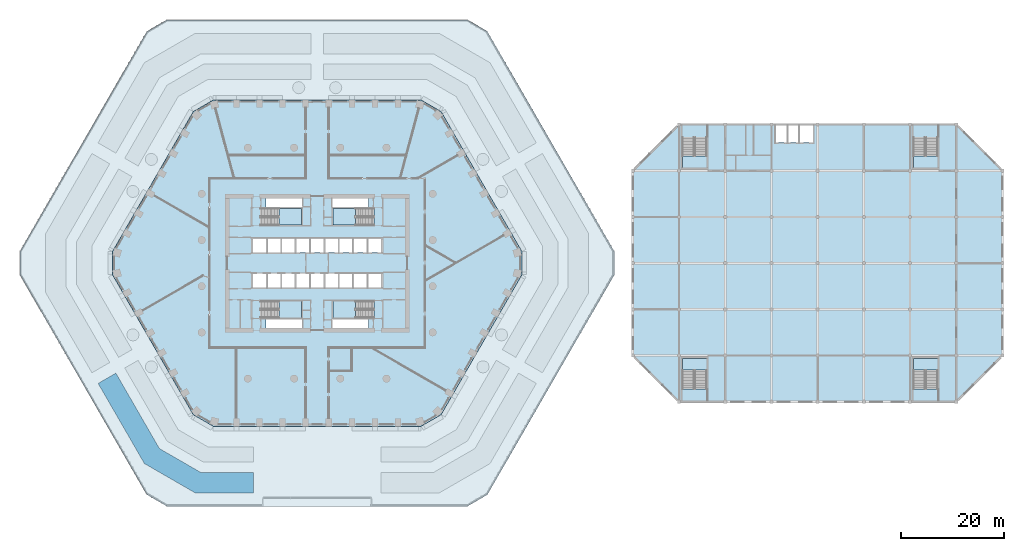
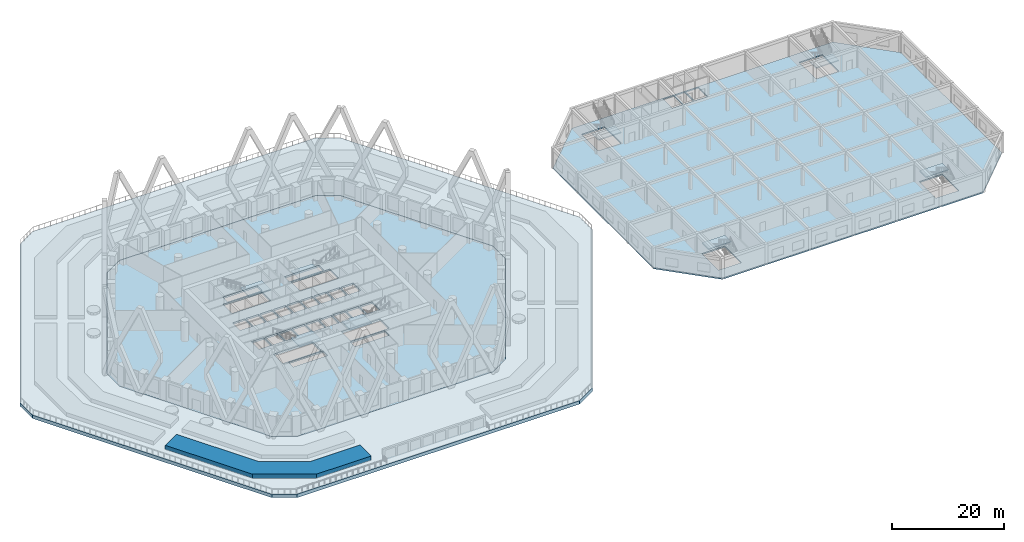
# One storey, part 2 of 27: 11 slabs, 1 wall, 8 elements without a shape of their own.
"""IFC4 building model written with IfcOpenShell, lengths in metres."""

from ifc_helpers import new_model, si_unit, direction, frame, origin, place, context, subcontext, project, spatial, polyline, outline, extrude, material, layer, layer_set, type_object, element, aggregate, save


model = new_model("IFC4")

# Units and contexts
model_context = context("Model", 3, precision=1e-05, world=origin(), true_north=direction((0.0, 1.0)))
body_context = subcontext(model_context, "Body", "Model", "MODEL_VIEW")
ifc_project = project(units=[si_unit("LENGTHUNIT", "METRE"), si_unit("AREAUNIT", "SQUARE_METRE"), si_unit("VOLUMEUNIT", "CUBIC_METRE"), si_unit("PLANEANGLEUNIT", "RADIAN"), si_unit("MASSUNIT", "GRAM", prefix="KILO")], contexts=[model_context])

# Site, building, storey
site_placement = place(None, origin())
site = spatial("IfcSite", under=ifc_project, at=site_placement, CompositionType="ELEMENT")
building_placement = place(site_placement, origin())
building = spatial("IfcBuilding", under=site, at=building_placement, Name="Dhurran Vertical Campus", CompositionType="ELEMENT")
storey_placement = place(building_placement, frame((0.0, 0.0, 10.800048828125)))
storey = spatial("IfcBuildingStorey", under=building, at=storey_placement, Name="L02", CompositionType="ELEMENT", Elevation=10.800048828125)

# Slabs
ifc_material_1 = material(Name="Concrete C40/50", Category="concrete")
ifc_layer_1 = layer(ifc_material_1, 0.75)
ifc_layer_set_1 = layer_set([ifc_layer_1], Name="Concrete C40/50")
slab_type_1 = type_object("IfcSlabType", Name="FR GARDEN DECK SLAB 750", PredefinedType="FLOOR", material=ifc_layer_set_1)
slab_1_placement = place(storey_placement, frame((0.0, 0.0, -0.75)))
element("IfcSlab", 1, at=slab_1_placement, inside=storey, type_object=slab_type_1, Name="Garden deck slab", PredefinedType="FLOOR", context=body_context, shape_type="SweptSolid", body=[
    extrude(outline(polyline([(-29.25, -47.368408203125), (29.25, -47.368408203125), (33.147216796875, -45.118408203125), (57.897216796875, -2.25), (57.897216796875, 2.25), (33.147216796875, 45.118408203125), (29.25, 47.368408203125), (-29.25, 47.368408203125), (-33.147216796875, 45.118408203125), (-57.897216796875, 2.25), (-57.897216796875, -2.25), (-33.147216796875, -45.118408203125), (-29.25, -47.368408203125)]), holes=[polyline([(-20.25, -31.77978515625), (20.25, -31.77978515625), (24.147216796875, -29.52978515625), (39.897216796875, -2.25), (39.897216796875, 2.25), (24.147216796875, 29.52978515625), (20.25, 31.77978515625), (-20.25, 31.77978515625), (-24.147216796875, 29.52978515625), (-39.897216796875, 2.25), (-39.897216796875, -2.25), (-24.147216796875, -29.52978515625), (-20.25, -31.77978515625)])]), origin(), (0.0, 0.0, 1.0), 0.75),
])
ifc_material_2 = material(Name="Concrete C40/50", Category="concrete")
ifc_layer_2 = layer(ifc_material_2, 0.39990234375)
ifc_layer_set_2 = layer_set([ifc_layer_2], Name="Concrete C40/50")
slab_type_2 = type_object("IfcSlabType", Name="FR POST-TENSIONED FLAT SLAB 400", PredefinedType="FLOOR", material=ifc_layer_set_2)
slab_2_placement = place(storey_placement, frame((0.0, 0.0, -0.400146484375)))
element("IfcSlab", 2, at=slab_2_placement, inside=storey, type_object=slab_type_2, Name="Floor slab L02", PredefinedType="FLOOR", context=body_context, shape_type="SweptSolid", body=[
    extrude(outline(polyline([(-20.25, -31.77978515625), (20.25, -31.77978515625), (24.147216796875, -29.52978515625), (39.897216796875, -2.25), (39.897216796875, 2.25), (24.147216796875, 29.52978515625), (20.25, 31.77978515625), (-20.25, 31.77978515625), (-24.147216796875, 29.52978515625), (-39.897216796875, 2.25), (-39.897216796875, -2.25), (-24.147216796875, -29.52978515625), (-20.25, -31.77978515625)]), holes=[polyline([(-12.47509765625, 2.050048828125), (-9.925048828125, 2.050048828125), (-9.925048828125, 4.75), (-12.47509765625, 4.75), (-12.47509765625, 2.050048828125)]), polyline([(-9.675048828125, 2.050048828125), (-7.125, 2.050048828125), (-7.125, 4.75), (-9.675048828125, 4.75), (-9.675048828125, 2.050048828125)]), polyline([(-6.875, 2.050048828125), (-4.324951171875, 2.050048828125), (-4.324951171875, 4.75), (-6.875, 4.75), (-6.875, 2.050048828125)]), polyline([(-1.27490234375, 2.050048828125), (1.27490234375, 2.050048828125), (1.27490234375, 4.75), (-1.27490234375, 4.75), (-1.27490234375, 2.050048828125)]), polyline([(9.925048828125, 2.050048828125), (12.47509765625, 2.050048828125), (12.47509765625, 4.75), (9.925048828125, 4.75), (9.925048828125, 2.050048828125)]), polyline([(-1.27490234375, -4.75), (1.27490234375, -4.75), (1.27490234375, -2.050048828125), (-1.27490234375, -2.050048828125), (-1.27490234375, -4.75)]), polyline([(1.52490234375, -4.75), (4.074951171875, -4.75), (4.074951171875, -2.050048828125), (1.52490234375, -2.050048828125), (1.52490234375, -4.75)]), polyline([(4.324951171875, -4.75), (6.875, -4.75), (6.875, -2.050048828125), (4.324951171875, -2.050048828125), (4.324951171875, -4.75)]), polyline([(7.125, -4.75), (9.675048828125, -4.75), (9.675048828125, -2.050048828125), (7.125, -2.050048828125), (7.125, -4.75)]), polyline([(9.925048828125, -4.75), (12.47509765625, -4.75), (12.47509765625, -2.050048828125), (9.925048828125, -2.050048828125), (9.925048828125, -4.75)]), polyline([(-4.074951171875, 2.050048828125), (-1.52490234375, 2.050048828125), (-1.52490234375, 4.75), (-4.074951171875, 4.75), (-4.074951171875, 2.050048828125)]), polyline([(1.52490234375, 2.050048828125), (4.074951171875, 2.050048828125), (4.074951171875, 4.75), (1.52490234375, 4.75), (1.52490234375, 2.050048828125)]), polyline([(4.324951171875, 2.050048828125), (6.875, 2.050048828125), (6.875, 4.75), (4.324951171875, 4.75), (4.324951171875, 2.050048828125)]), polyline([(7.125, 2.050048828125), (9.675048828125, 2.050048828125), (9.675048828125, 4.75), (7.125, 4.75), (7.125, 2.050048828125)]), polyline([(-12.47509765625, -4.75), (-9.925048828125, -4.75), (-9.925048828125, -2.050048828125), (-12.47509765625, -2.050048828125), (-12.47509765625, -4.75)]), polyline([(-9.675048828125, -4.75), (-7.125, -4.75), (-7.125, -2.050048828125), (-9.675048828125, -2.050048828125), (-9.675048828125, -4.75)]), polyline([(-6.875, -4.75), (-4.324951171875, -4.75), (-4.324951171875, -2.050048828125), (-6.875, -2.050048828125), (-6.875, -4.75)]), polyline([(-4.074951171875, -4.75), (-1.52490234375, -4.75), (-1.52490234375, -2.050048828125), (-4.074951171875, -2.050048828125), (-4.074951171875, -4.75)]), polyline([(-11.050048828125, 7.39990234375), (-3.050048828125, 7.39990234375), (-3.050048828125, 10.64990234375), (-11.050048828125, 10.64990234375), (-11.050048828125, 7.39990234375)]), polyline([(3.050048828125, 7.39990234375), (11.050048828125, 7.39990234375), (11.050048828125, 10.64990234375), (3.050048828125, 10.64990234375), (3.050048828125, 7.39990234375)]), polyline([(-11.050048828125, -10.64990234375), (-3.050048828125, -10.64990234375), (-3.050048828125, -7.39990234375), (-11.050048828125, -7.39990234375), (-11.050048828125, -10.64990234375)]), polyline([(3.050048828125, -10.64990234375), (11.050048828125, -10.64990234375), (11.050048828125, -7.39990234375), (3.050048828125, -7.39990234375), (3.050048828125, -10.64990234375)]), polyline([(-9.949951171875, 10.89990234375), (-9.949951171875, 12.60009765625), (-2.800048828125, 12.60009765625), (-2.800048828125, 10.89990234375), (-9.949951171875, 10.89990234375)]), polyline([(9.949951171875, 12.60009765625), (9.949951171875, 10.89990234375), (2.800048828125, 10.89990234375), (2.800048828125, 12.60009765625), (9.949951171875, 12.60009765625)]), polyline([(-9.949951171875, -12.60009765625), (-9.949951171875, -10.89990234375), (-2.800048828125, -10.89990234375), (-2.800048828125, -12.60009765625), (-9.949951171875, -12.60009765625)]), polyline([(9.949951171875, -10.89990234375), (9.949951171875, -12.60009765625), (2.800048828125, -12.60009765625), (2.800048828125, -10.89990234375), (9.949951171875, -10.89990234375)])]), origin(), (0.0, 0.0, 1.0), 0.400146484375),
])

# Stair, slab
ifc_material_3 = material(Name="Concrete C40/50", Category="concrete")
stair_type_1 = type_object("IfcStairType", Name="co-ST-CORE", PredefinedType="HALF_TURN_STAIR", material=ifc_material_3)
stair_1_placement = place(storey_placement, origin())
stair_1 = element("IfcStair", 3, at=stair_1_placement, inside=storey, type_object=stair_type_1, Name="L02 Protected exit stair ST1", PredefinedType="HALF_TURN_STAIR")
ifc_material_4 = material(Name="Concrete C40/50", Category="concrete")
ifc_layer_3 = layer(ifc_material_4, 0.199951171875)
ifc_layer_set_3 = layer_set([ifc_layer_3], Name="Concrete C40/50")
slab_type_3 = type_object("IfcSlabType", Name="co-SL-LANDING", PredefinedType="LANDING", material=ifc_layer_set_3)
slab_3_placement = place(storey_placement, frame((0.0, 0.0, 2.199951171875)))
slab_3 = element("IfcSlab", 4, at=slab_3_placement, type_object=slab_type_3, Name="ST1 landing 1", PredefinedType="LANDING", context=body_context, shape_type="SweptSolid", body=[
    extrude(outline(polyline([(-7.4599609375, 7.39990234375), (-3.050048828125, 7.39990234375), (-3.050048828125, 10.64990234375), (-7.4599609375, 10.64990234375), (-7.4599609375, 7.39990234375)])), origin(), (0.0, 0.0, 1.0), 0.199951171875),
])
aggregate(stair_1, [slab_3])

stair_2_placement = place(storey_placement, origin())
stair_2 = element("IfcStair", 5, at=stair_2_placement, inside=storey, type_object=stair_type_1, Name="L02 Protected exit stair ST2", PredefinedType="HALF_TURN_STAIR")
slab_4_placement = place(storey_placement, frame((0.0, 0.0, 2.199951171875)))
slab_4 = element("IfcSlab", 6, at=slab_4_placement, type_object=slab_type_3, Name="ST2 landing 1", PredefinedType="LANDING", context=body_context, shape_type="SweptSolid", body=[
    extrude(outline(polyline([(7.4599609375, 10.64990234375), (3.050048828125, 10.64990234375), (3.050048828125, 7.39990234375), (7.4599609375, 7.39990234375), (7.4599609375, 10.64990234375)])), origin(), (0.0, 0.0, 1.0), 0.199951171875),
])
aggregate(stair_2, [slab_4])

stair_3_placement = place(storey_placement, origin())
stair_3 = element("IfcStair", 7, at=stair_3_placement, inside=storey, type_object=stair_type_1, Name="L02 Protected exit stair ST3", PredefinedType="HALF_TURN_STAIR")
slab_5_placement = place(storey_placement, frame((0.0, 0.0, 2.199951171875)))
slab_5 = element("IfcSlab", 8, at=slab_5_placement, type_object=slab_type_3, Name="ST3 landing 1", PredefinedType="LANDING", context=body_context, shape_type="SweptSolid", body=[
    extrude(outline(polyline([(-7.4599609375, -10.64990234375), (-3.050048828125, -10.64990234375), (-3.050048828125, -7.39990234375), (-7.4599609375, -7.39990234375), (-7.4599609375, -10.64990234375)])), origin(), (0.0, 0.0, 1.0), 0.199951171875),
])
aggregate(stair_3, [slab_5])

stair_4_placement = place(storey_placement, origin())
stair_4 = element("IfcStair", 9, at=stair_4_placement, inside=storey, type_object=stair_type_1, Name="L02 Protected exit stair ST4", PredefinedType="HALF_TURN_STAIR")
slab_6_placement = place(storey_placement, frame((0.0, 0.0, 2.199951171875)))
slab_6 = element("IfcSlab", 10, at=slab_6_placement, type_object=slab_type_3, Name="ST4 landing 1", PredefinedType="LANDING", context=body_context, shape_type="SweptSolid", body=[
    extrude(outline(polyline([(7.4599609375, -7.39990234375), (3.050048828125, -7.39990234375), (3.050048828125, -10.64990234375), (7.4599609375, -10.64990234375), (7.4599609375, -7.39990234375)])), origin(), (0.0, 0.0, 1.0), 0.199951171875),
])
aggregate(stair_4, [slab_6])

# Slab
ifc_material_5 = material(Name="Concrete C40/50", Category="concrete")
ifc_layer_4 = layer(ifc_material_5, 0.280029296875)
ifc_layer_set_4 = layer_set([ifc_layer_4], Name="Concrete C40/50")
slab_type_4 = type_object("IfcSlabType", Name="hl-floor slab 280", PredefinedType="FLOOR", material=ifc_layer_set_4)
slab_7_placement = place(storey_placement, frame((0.0, 0.0, -0.280029296875)))
element("IfcSlab", 11, at=slab_7_placement, inside=storey, type_object=slab_type_4, Name="Hall L02 slab", PredefinedType="FLOOR", context=body_context, shape_type="SweptSolid", body=[
    extrude(outline(polyline([(61.5, -18.0), (70.5, -27.0), (124.5, -27.0), (133.5, -18.0), (133.5, 18.0), (124.5, 27.0), (70.5, 27.0), (61.5, 18.0), (61.5, -18.0)]), holes=[polyline([(71.14990234375, -24.5), (75.89990234375, -24.5), (75.89990234375, -18.550048828125), (71.14990234375, -18.550048828125), (71.14990234375, -24.5)]), polyline([(116.14990234375, 18.550048828125), (120.89990234375, 18.550048828125), (120.89990234375, 24.5), (116.14990234375, 24.5), (116.14990234375, 18.550048828125)]), polyline([(71.14990234375, 18.550048828125), (75.89990234375, 18.550048828125), (75.89990234375, 24.5), (71.14990234375, 24.5), (71.14990234375, 18.550048828125)]), polyline([(116.14990234375, -24.5), (120.89990234375, -24.5), (120.89990234375, -18.550048828125), (116.14990234375, -18.550048828125), (116.14990234375, -24.5)]), polyline([(89.300048828125, 23.5), (91.5, 23.5), (91.5, 26.85009765625), (89.300048828125, 26.85009765625), (89.300048828125, 23.5)]), polyline([(91.75, 23.5), (93.75, 23.5), (93.75, 26.85009765625), (91.75, 26.85009765625), (91.75, 23.5)]), polyline([(94.0, 23.5), (96.60009765625, 23.5), (96.60009765625, 26.85009765625), (94.0, 26.85009765625), (94.0, 23.5)])]), origin(), (0.0, 0.0, 1.0), 0.280029296875),
])

# Stair, slab
ifc_material_6 = material(Name="Concrete C40/50", Category="concrete")
stair_type_2 = type_object("IfcStairType", Name="hl-exit stair dog-leg", PredefinedType="HALF_TURN_STAIR", material=ifc_material_6)
stair_5_placement = place(storey_placement, origin())
stair_5 = element("IfcStair", 12, at=stair_5_placement, inside=storey, type_object=stair_type_2, Name="L02 Exit stair HST1", PredefinedType="HALF_TURN_STAIR")
ifc_material_7 = material(Name="Concrete C40/50", Category="concrete")
ifc_layer_5 = layer(ifc_material_7, 0.199951171875)
ifc_layer_set_5 = layer_set([ifc_layer_5], Name="Concrete C40/50")
slab_type_5 = type_object("IfcSlabType", Name="hl-stair landing 200", PredefinedType="LANDING", material=ifc_layer_set_5)
slab_8_placement = place(storey_placement, frame((0.0, 0.0, 2.199951171875)))
slab_8 = element("IfcSlab", 13, at=slab_8_placement, type_object=slab_type_5, Name="HST1 landing 1", PredefinedType="LANDING", context=body_context, shape_type="SweptSolid", body=[
    extrude(outline(polyline([(75.89990234375, -20.85791015625), (75.89990234375, -18.550048828125), (71.14990234375, -18.550048828125), (71.14990234375, -20.85791015625), (75.89990234375, -20.85791015625)])), origin(), (0.0, 0.0, 1.0), 0.199951171875),
])
aggregate(stair_5, [slab_8])

stair_6_placement = place(storey_placement, origin())
stair_6 = element("IfcStair", 14, at=stair_6_placement, inside=storey, type_object=stair_type_2, Name="L02 Exit stair HST2", PredefinedType="HALF_TURN_STAIR")
slab_9_placement = place(storey_placement, frame((0.0, 0.0, 2.199951171875)))
slab_9 = element("IfcSlab", 15, at=slab_9_placement, type_object=slab_type_5, Name="HST2 landing 1", PredefinedType="LANDING", context=body_context, shape_type="SweptSolid", body=[
    extrude(outline(polyline([(116.14990234375, 20.85791015625), (116.14990234375, 18.550048828125), (120.89990234375, 18.550048828125), (120.89990234375, 20.85791015625), (116.14990234375, 20.85791015625)])), origin(), (0.0, 0.0, 1.0), 0.199951171875),
])
aggregate(stair_6, [slab_9])

stair_7_placement = place(storey_placement, origin())
stair_7 = element("IfcStair", 16, at=stair_7_placement, inside=storey, type_object=stair_type_2, Name="L02 Exit stair HST3", PredefinedType="HALF_TURN_STAIR")
slab_10_placement = place(storey_placement, frame((0.0, 0.0, 2.199951171875)))
slab_10 = element("IfcSlab", 17, at=slab_10_placement, type_object=slab_type_5, Name="HST3 landing 1", PredefinedType="LANDING", context=body_context, shape_type="SweptSolid", body=[
    extrude(outline(polyline([(71.14990234375, 20.85791015625), (71.14990234375, 18.550048828125), (75.89990234375, 18.550048828125), (75.89990234375, 20.85791015625), (71.14990234375, 20.85791015625)])), origin(), (0.0, 0.0, 1.0), 0.199951171875),
])
aggregate(stair_7, [slab_10])

stair_8_placement = place(storey_placement, origin())
stair_8 = element("IfcStair", 18, at=stair_8_placement, inside=storey, type_object=stair_type_2, Name="L02 Exit stair HST4", PredefinedType="HALF_TURN_STAIR")
slab_11_placement = place(storey_placement, frame((0.0, 0.0, 2.199951171875)))
slab_11 = element("IfcSlab", 19, at=slab_11_placement, type_object=slab_type_5, Name="HST4 landing 1", PredefinedType="LANDING", context=body_context, shape_type="SweptSolid", body=[
    extrude(outline(polyline([(120.89990234375, -20.85791015625), (120.89990234375, -18.550048828125), (116.14990234375, -18.550048828125), (116.14990234375, -20.85791015625), (120.89990234375, -20.85791015625)])), origin(), (0.0, 0.0, 1.0), 0.199951171875),
])
aggregate(stair_8, [slab_11])

# Wall
ifc_material_8 = material(Name="Concrete C35/45", Category="concrete")
ifc_layer_6 = layer(ifc_material_8, 3.0)
ifc_layer_set_6 = layer_set([ifc_layer_6], Name="Concrete C35/45")
wall_type = type_object("IfcWallType", Name="st-planting bed 900", PredefinedType="SOLIDWALL", material=ifc_layer_set_6)
wall_placement = place(storey_placement, origin())
element("IfcWall", 20, at=wall_placement, inside=storey, type_object=wall_type, Name="Planter 01", PredefinedType="SOLIDWALL", context=body_context, shape_type="SweptSolid", body=[
    extrude(outline(polyline([(-12.39990234375, -44.77978515625), (-12.39990234375, -40.77978515625), (-22.66162109375, -40.77978515625), (-30.735595703125, -36.118408203125), (-39.21630859375, -21.42919921875), (-42.680419921875, -23.42919921875), (-33.663818359375, -39.04638671875), (-23.7333984375, -44.77978515625), (-12.39990234375, -44.77978515625)])), origin(), (0.0, 0.0, 1.0), 0.89990234375),
])

save(model, "model.ifc")
